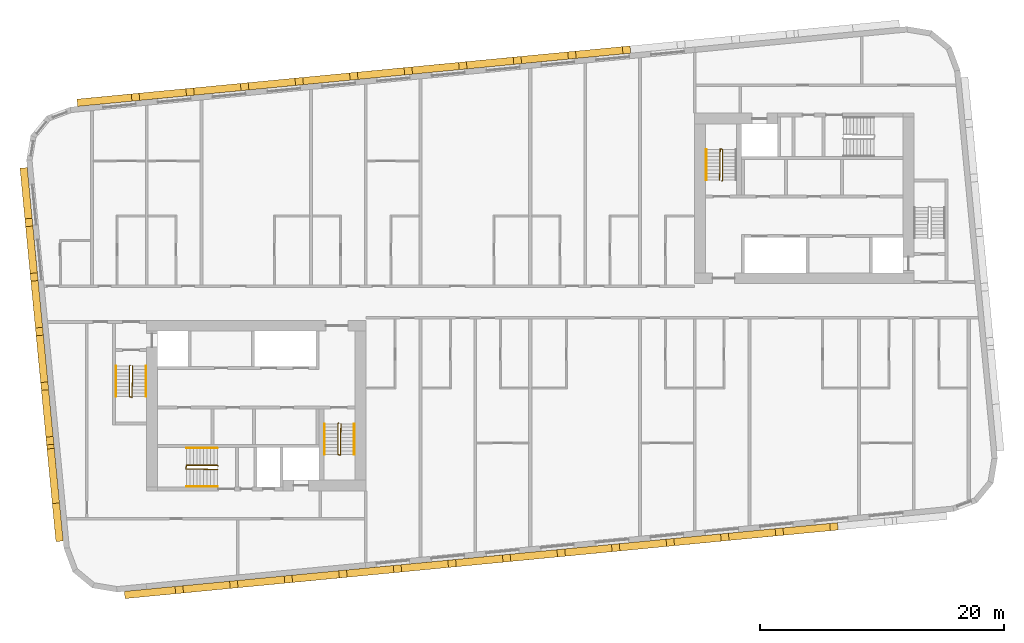
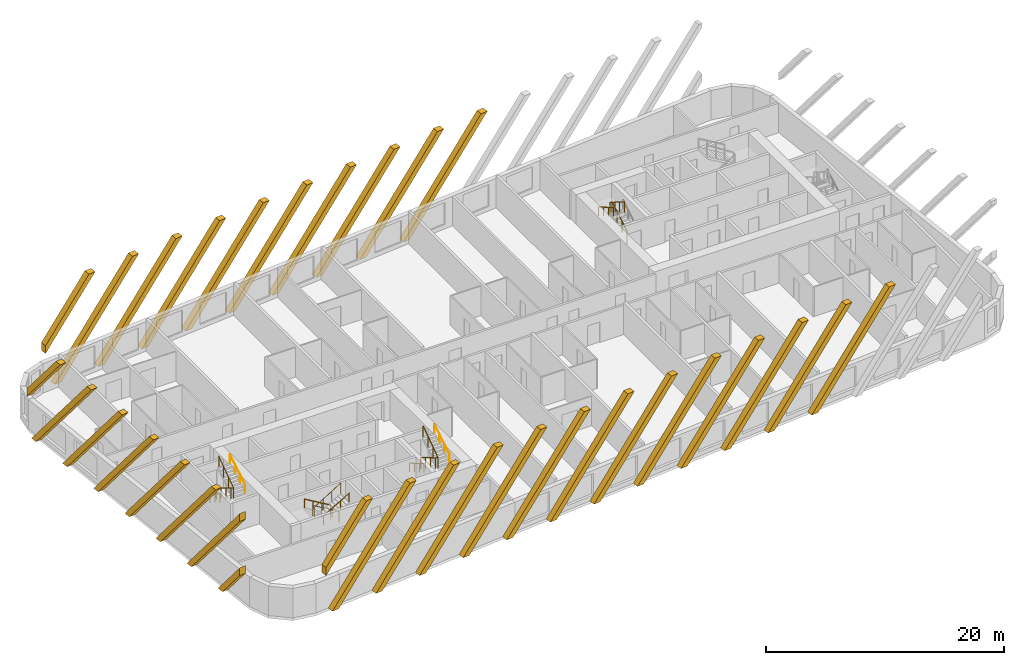
# One storey, part 12 of 13: 31 coverings, 11 railings.
"""IFC4 building model written with IfcOpenShell, lengths in metres."""

from ifc_helpers import new_model, si_unit, direction, frame, origin, origin_2d, place, context, subcontext, project, spatial, polyline, rectangle, circle, outline, extrude, material, material_profile, profile_set, type_object, element, save


model = new_model("IFC4")

# Units and contexts
model_context = context("Model", 3, precision=1e-05, world=origin(), true_north=direction((0.0, 1.0)))
body_context = subcontext(model_context, "Body", "Model", "MODEL_VIEW")
ifc_project = project(units=[si_unit("LENGTHUNIT", "METRE"), si_unit("AREAUNIT", "SQUARE_METRE"), si_unit("VOLUMEUNIT", "CUBIC_METRE"), si_unit("PLANEANGLEUNIT", "RADIAN"), si_unit("MASSUNIT", "GRAM", prefix="KILO")], contexts=[model_context])

# Site, building, storey
site_placement = place(None, origin())
site = spatial("IfcSite", under=ifc_project, at=site_placement, CompositionType="ELEMENT")
building_placement = place(site_placement, origin())
building = spatial("IfcBuilding", under=site, at=building_placement, Name="Kajstack Hotel Tower", CompositionType="ELEMENT")
storey_placement = place(building_placement, frame((0.0, 0.0, 298.199951171875)))
storey = spatial("IfcBuildingStorey", under=building, at=storey_placement, Name="L75", CompositionType="ELEMENT", Elevation=298.199951171875)

# Coverings
ifc_material_1 = material(Name="Terracotta", Category="masonry")
ifc_material_profile = material_profile(ifc_material_1, rectangle(XDim=0.60009765625, YDim=0.5, at=origin_2d()), Name="Terracotta-clad concrete baguette 500 x 600")
ifc_profile_set = profile_set([ifc_material_profile], Name="Terracotta")
covering_type = type_object("IfcCoveringType", Name="BAGUETTE 500x600", PredefinedType="CLADDING", material=ifc_profile_set)
covering_1_placement = place(storey_placement, frame((-41.298828125, 11.0390625, 0.0), z_axis=(-0.995377661201, -0.096038073607, 0.0), x_axis=(0.096038073607, -0.995377661201, 0.0)))
element("IfcCovering", 1, at=covering_1_placement, inside=storey, type_object=covering_type, Name="Baguette L75-00-003", PredefinedType="CLADDING", context=body_context, shape_type="SweptSolid", body=[
    extrude(outline(polyline([(4.17822265625, 9.89990234375), (0.0, 4.740234375), (0.0, 3.94580078125), (4.82177734375, 9.89990234375), (4.17822265625, 9.89990234375)])), origin(), (0.0, 0.0, 1.0), 0.599853515625),
])
for number, where, z_axis, x_axis, name in (
    (2, (-41.2353515625, 10.380615234375, 0.0), (-0.995416482233, -0.095634862357, 0.0), (0.095634862357, -0.995416482233, 0.0), "Baguette L75-00-007"),
    (3, (-40.80419921875, 5.9013671875, 0.0), (-0.995377661201, -0.096038073607, 0.0), (0.096038073607, -0.995377661201, 0.0), "Baguette L75-00-011"),
    (4, (-40.372802734375, 1.422119140625, 0.0), (-0.995377661201, -0.096038073607, 0.0), (0.096038073607, -0.995377661201, 0.0), "Baguette L75-00-015"),
):
    element("IfcCovering", number, at=place(storey_placement, frame(where, z_axis=z_axis, x_axis=x_axis)), inside=storey, type_object=covering_type, Name=name, PredefinedType="CLADDING", context=body_context, shape_type="SweptSolid", body=[
        extrude(outline(polyline([(8.016845703125, 9.89990234375), (0.0, 0.0), (0.643310546875, 0.0), (8.66015625, 9.89990234375), (8.016845703125, 9.89990234375)])), origin(), (0.0, 0.0, 1.0), 0.599853515625),
    ])
covering_2_placement = place(storey_placement, frame((-39.94140625, -3.05712890625, 0.0), z_axis=(-0.995381412265, -0.095999188106, 0.0), x_axis=(0.095999188106, -0.995381412265, 0.0)))
element("IfcCovering", 5, at=covering_2_placement, inside=storey, type_object=covering_type, Name="Baguette L75-00-019", PredefinedType="CLADDING", context=body_context, shape_type="SweptSolid", body=[
    extrude(outline(polyline([(8.016845703125, 9.89990234375), (0.0, 0.0), (0.643310546875, 0.0), (8.66015625, 9.89990234375), (8.016845703125, 9.89990234375)])), origin(), (0.0, 0.0, 1.0), 0.60009765625),
])
covering_3_placement = place(storey_placement, frame((-39.51025390625, -7.536376953125, 0.0), z_axis=(-0.995377661201, -0.096038073607, 0.0), x_axis=(0.096038073607, -0.995377661201, 0.0)))
element("IfcCovering", 6, at=covering_3_placement, inside=storey, type_object=covering_type, Name="Baguette L75-00-023", PredefinedType="CLADDING", context=body_context, shape_type="SweptSolid", body=[
    extrude(outline(polyline([(8.016845703125, 9.89990234375), (0.0, 0.0), (0.643310546875, 0.0), (8.66015625, 9.89990234375), (8.016845703125, 9.89990234375)])), origin(), (0.0, 0.0, 1.0), 0.599853515625),
])
covering_4_placement = place(storey_placement, frame((-39.078857421875, -12.015869140625, 0.0), z_axis=(-0.995416482233, -0.095634862357, 0.0), x_axis=(0.095634862357, -0.995416482233, 0.0)))
element("IfcCovering", 7, at=covering_4_placement, inside=storey, type_object=covering_type, Name="Baguette L75-00-027", PredefinedType="CLADDING", context=body_context, shape_type="SweptSolid", body=[
    extrude(outline(polyline([(0.643310546875, 0.0), (7.638671875, 8.638427734375), (7.638671875, 9.432861328125), (0.0, 0.0), (0.643310546875, 0.0)])), origin(), (0.0, 0.0, 1.0), 0.599853515625),
])
covering_5_placement = place(storey_placement, frame((-38.6474609375, -16.4951171875, 0.0), z_axis=(-0.995420202011, -0.095596137095, 0.0), x_axis=(0.095596137095, -0.995420202011, 0.0)))
element("IfcCovering", 8, at=covering_5_placement, inside=storey, type_object=covering_type, Name="Baguette L75-00-031", PredefinedType="CLADDING", context=body_context, shape_type="SweptSolid", body=[
    extrude(outline(polyline([(0.643310546875, 0.0), (3.138671875, 3.081298828125), (3.138671875, 3.875732421875), (0.0, 0.0), (0.643310546875, 0.0)])), origin(), (0.0, 0.0, 1.0), 0.60009765625),
])
covering_6_placement = place(storey_placement, frame((-33.3271484375, -23.757080078125, 0.0), z_axis=(0.096038073607, -0.995377661201, 0.0), x_axis=(0.995377661201, 0.096038073607, 0.0)))
element("IfcCovering", 9, at=covering_6_placement, inside=storey, type_object=covering_type, Name="Baguette L75-04-003", PredefinedType="CLADDING", context=body_context, shape_type="SweptSolid", body=[
    extrude(outline(polyline([(4.17822265625, 9.89990234375), (0.0, 4.740234375), (0.0, 3.94580078125), (4.82177734375, 9.89990234375), (4.17822265625, 9.89990234375)])), origin(), (0.0, 0.0, 1.0), 0.599853515625),
])
covering_7_placement = place(storey_placement, frame((-32.668701171875, -23.693603515625, 0.0), z_axis=(0.095999188106, -0.995381412265, 0.0), x_axis=(0.995381412265, 0.095999188106, 0.0)))
element("IfcCovering", 10, at=covering_7_placement, inside=storey, type_object=covering_type, Name="Baguette L75-04-007", PredefinedType="CLADDING", context=body_context, shape_type="SweptSolid", body=[
    extrude(outline(polyline([(8.016845703125, 9.89990234375), (0.0, 0.0), (0.643310546875, 0.0), (8.66015625, 9.89990234375), (8.016845703125, 9.89990234375)])), origin(), (0.0, 0.0, 1.0), 0.60009765625),
])
for number, where, z_axis, x_axis, name in (
    (11, (-28.189453125, -23.262451171875, 0.0), (0.096038073607, -0.995377661201, 0.0), (0.995377661201, 0.096038073607, 0.0), "Baguette L75-04-011"),
    (12, (-23.710205078125, -22.8310546875, 0.0), (0.096038073607, -0.995377661201, 0.0), (0.995377661201, 0.096038073607, 0.0), "Baguette L75-04-015"),
):
    element("IfcCovering", number, at=place(storey_placement, frame(where, z_axis=z_axis, x_axis=x_axis)), inside=storey, type_object=covering_type, Name=name, PredefinedType="CLADDING", context=body_context, shape_type="SweptSolid", body=[
        extrude(outline(polyline([(8.016845703125, 9.89990234375), (0.0, 0.0), (0.643310546875, 0.0), (8.66015625, 9.89990234375), (8.016845703125, 9.89990234375)])), origin(), (0.0, 0.0, 1.0), 0.599853515625),
    ])
covering_8_placement = place(storey_placement, frame((-19.230712890625, -22.399658203125, 0.0), z_axis=(0.095596137095, -0.995420202011, 0.0), x_axis=(0.995420202011, 0.095596137095, 0.0)))
element("IfcCovering", 13, at=covering_8_placement, inside=storey, type_object=covering_type, Name="Baguette L75-04-019", PredefinedType="CLADDING", context=body_context, shape_type="SweptSolid", body=[
    extrude(outline(polyline([(8.016845703125, 9.89990234375), (0.0, 0.0), (0.643310546875, 0.0), (8.66015625, 9.89990234375), (8.016845703125, 9.89990234375)])), origin(), (0.0, 0.0, 1.0), 0.60009765625),
])
for number, where, z_axis, x_axis, name in (
    (14, (-14.75146484375, -21.968505859375, 0.0), (0.095634862357, -0.995416482233, 0.0), (0.995416482233, 0.095634862357, 0.0), "Baguette L75-04-023"),
    (15, (-10.272216796875, -21.537109375, 0.0), (0.095634862357, -0.995416482233, 0.0), (0.995416482233, 0.095634862357, 0.0), "Baguette L75-04-027"),
    (16, (-5.79296875, -21.10595703125, 0.0), (0.096038073607, -0.995377661201, 0.0), (0.995377661201, 0.096038073607, 0.0), "Baguette L75-04-031"),
    (17, (-1.313720703125, -20.674560546875, 0.0), (0.096038073607, -0.995377661201, 0.0), (0.995377661201, 0.096038073607, 0.0), "Baguette L75-04-035"),
):
    element("IfcCovering", number, at=place(storey_placement, frame(where, z_axis=z_axis, x_axis=x_axis)), inside=storey, type_object=covering_type, Name=name, PredefinedType="CLADDING", context=body_context, shape_type="SweptSolid", body=[
        extrude(outline(polyline([(8.016845703125, 9.89990234375), (0.0, 0.0), (0.643310546875, 0.0), (8.66015625, 9.89990234375), (8.016845703125, 9.89990234375)])), origin(), (0.0, 0.0, 1.0), 0.599853515625),
    ])
covering_9_placement = place(storey_placement, frame((3.16552734375, -20.2431640625, 0.0), z_axis=(0.095999188106, -0.995381412265, 0.0), x_axis=(0.995381412265, 0.095999188106, 0.0)))
element("IfcCovering", 18, at=covering_9_placement, inside=storey, type_object=covering_type, Name="Baguette L75-04-039", PredefinedType="CLADDING", context=body_context, shape_type="SweptSolid", body=[
    extrude(outline(polyline([(8.016845703125, 9.89990234375), (0.0, 0.0), (0.643310546875, 0.0), (8.66015625, 9.89990234375), (8.016845703125, 9.89990234375)])), origin(), (0.0, 0.0, 1.0), 0.60009765625),
])
for number, where, z_axis, x_axis, name in (
    (19, (7.644775390625, -19.81201171875, 0.0), (0.096038073607, -0.995377661201, 0.0), (0.995377661201, 0.096038073607, 0.0), "Baguette L75-04-043"),
    (20, (12.1240234375, -19.380615234375, 0.0), (0.096038073607, -0.995377661201, 0.0), (0.995377661201, 0.096038073607, 0.0), "Baguette L75-04-047"),
):
    element("IfcCovering", number, at=place(storey_placement, frame(where, z_axis=z_axis, x_axis=x_axis)), inside=storey, type_object=covering_type, Name=name, PredefinedType="CLADDING", context=body_context, shape_type="SweptSolid", body=[
        extrude(outline(polyline([(8.016845703125, 9.89990234375), (0.0, 0.0), (0.643310546875, 0.0), (8.66015625, 9.89990234375), (8.016845703125, 9.89990234375)])), origin(), (0.0, 0.0, 1.0), 0.599853515625),
    ])
covering_10_placement = place(storey_placement, frame((16.603515625, -18.94921875, 0.0), z_axis=(0.095596137095, -0.995420202011, 0.0), x_axis=(0.995420202011, 0.095596137095, 0.0)))
element("IfcCovering", 21, at=covering_10_placement, inside=storey, type_object=covering_type, Name="Baguette L75-04-051", PredefinedType="CLADDING", context=body_context, shape_type="SweptSolid", body=[
    extrude(outline(polyline([(8.016845703125, 9.89990234375), (0.0, 0.0), (0.643310546875, 0.0), (8.66015625, 9.89990234375), (8.016845703125, 9.89990234375)])), origin(), (0.0, 0.0, 1.0), 0.60009765625),
])
covering_11_placement = place(storey_placement, frame((8.2509765625, 20.431396484375, 0.0), z_axis=(-0.096038073607, 0.995377661201, 0.0), x_axis=(-0.995377661201, -0.096038073607, 0.0)))
element("IfcCovering", 22, at=covering_11_placement, inside=storey, type_object=covering_type, Name="Baguette L75-12-027", PredefinedType="CLADDING", context=body_context, shape_type="SweptSolid", body=[
    extrude(outline(polyline([(0.0, 9.89990234375), (8.016845703125, 0.0), (8.66015625, 0.0), (0.643310546875, 9.89990234375), (0.0, 9.89990234375)])), origin(), (0.0, 0.0, 1.0), 0.599853515625),
])
covering_12_placement = place(storey_placement, frame((3.771484375, 20.0, 0.0), z_axis=(-0.095596137095, 0.995420202011, 0.0), x_axis=(-0.995420202011, -0.095596137095, 0.0)))
element("IfcCovering", 23, at=covering_12_placement, inside=storey, type_object=covering_type, Name="Baguette L75-12-031", PredefinedType="CLADDING", context=body_context, shape_type="SweptSolid", body=[
    extrude(outline(polyline([(0.0, 9.89990234375), (8.016845703125, 0.0), (8.66015625, 0.0), (0.643310546875, 9.89990234375), (0.0, 9.89990234375)])), origin(), (0.0, 0.0, 1.0), 0.60009765625),
])
for number, where, z_axis, x_axis, name in (
    (24, (-0.707763671875, 19.56884765625, 0.0), (-0.095634862357, 0.995416482233, 0.0), (-0.995416482233, -0.095634862357, 0.0), "Baguette L75-12-035"),
    (25, (-5.18701171875, 19.137451171875, 0.0), (-0.095634862357, 0.995416482233, 0.0), (-0.995416482233, -0.095634862357, 0.0), "Baguette L75-12-039"),
):
    element("IfcCovering", number, at=place(storey_placement, frame(where, z_axis=z_axis, x_axis=x_axis)), inside=storey, type_object=covering_type, Name=name, PredefinedType="CLADDING", context=body_context, shape_type="SweptSolid", body=[
        extrude(outline(polyline([(0.0, 9.89990234375), (8.016845703125, 0.0), (8.66015625, 0.0), (0.643310546875, 9.89990234375), (0.0, 9.89990234375)])), origin(), (0.0, 0.0, 1.0), 0.599853515625),
    ])
covering_13_placement = place(storey_placement, frame((-9.666259765625, 18.7060546875, 0.0), z_axis=(-0.095999188106, 0.995381412265, 0.0), x_axis=(-0.995381412265, -0.095999188106, 0.0)))
element("IfcCovering", 26, at=covering_13_placement, inside=storey, type_object=covering_type, Name="Baguette L75-12-043", PredefinedType="CLADDING", context=body_context, shape_type="SweptSolid", body=[
    extrude(outline(polyline([(0.0, 9.89990234375), (8.016845703125, 0.0), (8.66015625, 0.0), (0.643310546875, 9.89990234375), (0.0, 9.89990234375)])), origin(), (0.0, 0.0, 1.0), 0.60009765625),
])
for number, where, z_axis, x_axis, name in (
    (27, (-14.1455078125, 18.27490234375, 0.0), (-0.096038073607, 0.995377661201, 0.0), (-0.995377661201, -0.096038073607, 0.0), "Baguette L75-12-047"),
    (28, (-18.624755859375, 17.843505859375, 0.0), (-0.096038073607, 0.995377661201, 0.0), (-0.995377661201, -0.096038073607, 0.0), "Baguette L75-12-051"),
):
    element("IfcCovering", number, at=place(storey_placement, frame(where, z_axis=z_axis, x_axis=x_axis)), inside=storey, type_object=covering_type, Name=name, PredefinedType="CLADDING", context=body_context, shape_type="SweptSolid", body=[
        extrude(outline(polyline([(0.0, 9.89990234375), (8.016845703125, 0.0), (8.66015625, 0.0), (0.643310546875, 9.89990234375), (0.0, 9.89990234375)])), origin(), (0.0, 0.0, 1.0), 0.599853515625),
    ])
covering_14_placement = place(storey_placement, frame((-23.10400390625, 17.412109375, 0.0), z_axis=(-0.095999188106, 0.995381412265, 0.0), x_axis=(-0.995381412265, -0.095999188106, 0.0)))
element("IfcCovering", 29, at=covering_14_placement, inside=storey, type_object=covering_type, Name="Baguette L75-12-055", PredefinedType="CLADDING", context=body_context, shape_type="SweptSolid", body=[
    extrude(outline(polyline([(0.0, 9.89990234375), (8.016845703125, 0.0), (8.66015625, 0.0), (0.643310546875, 9.89990234375), (0.0, 9.89990234375)])), origin(), (0.0, 0.0, 1.0), 0.60009765625),
])
covering_15_placement = place(storey_placement, frame((-27.58349609375, 16.98095703125, 0.0), z_axis=(-0.095634862357, 0.995416482233, 0.0), x_axis=(-0.995416482233, -0.095634862357, 0.0)))
element("IfcCovering", 30, at=covering_15_placement, inside=storey, type_object=covering_type, Name="Baguette L75-12-059", PredefinedType="CLADDING", context=body_context, shape_type="SweptSolid", body=[
    extrude(outline(polyline([(0.0, 9.89990234375), (8.016845703125, 0.0), (8.66015625, 0.0), (0.643310546875, 9.89990234375), (0.0, 9.89990234375)])), origin(), (0.0, 0.0, 1.0), 0.599853515625),
])
covering_16_placement = place(storey_placement, frame((-32.062744140625, 16.549560546875, 0.0), z_axis=(-0.095634862357, 0.995416482233, 0.0), x_axis=(-0.995416482233, -0.095634862357, 0.0)))
element("IfcCovering", 31, at=covering_16_placement, inside=storey, type_object=covering_type, Name="Baguette L75-12-063", PredefinedType="CLADDING", context=body_context, shape_type="SweptSolid", body=[
    extrude(outline(polyline([(0.0, 9.89990234375), (5.121826171875, 3.5751953125), (5.121826171875, 4.36962890625), (0.643310546875, 9.89990234375), (0.0, 9.89990234375)])), origin(), (0.0, 0.0, 1.0), 0.599853515625),
])

# Railings
ifc_material_2 = material(Name="Steel S355J2", Category="steel")
railing_type_1 = type_object("IfcRailingType", Name="Stair guard 1100", PredefinedType="GUARDRAIL", material=ifc_material_2)
railing_1_placement = place(storey_placement, frame((-32.85009765625, -5.199951171875, 0.0)))
element("IfcRailing", 32, at=railing_1_placement, inside=storey, type_object=railing_type_1, Name="L75 W1 stair guard 1", PredefinedType="GUARDRAIL", context=body_context, shape_type="SweptSolid", body=[
    extrude(circle(Radius=0.02392578125, at=origin_2d()), frame((0.0, 0.0, 1.076171875), z_axis=(-0.277450376394, -0.278810427259, 0.919394384522), x_axis=(0.708833529934, -0.705375805398, 0.0)), (0.0, 0.0, 1.0), 0.179443359375),
    extrude(circle(Radius=0.02392578125, at=origin_2d()), frame((-0.0498046875, -0.050048828125, 1.2412109375), z_axis=(0.0, -0.86152411907, 0.507716645641), x_axis=(1.0, 0.0, 0.0)), (0.0, 0.0, 1.0), 2.925048828125),
    extrude(circle(Radius=0.02392578125, at=origin_2d()), frame((-0.0498046875, -2.570068359375, 2.72607421875), z_axis=(0.970072785993, -0.242814311512, 0.0), x_axis=(0.242814311512, 0.970072785993, 0.0)), (0.0, 0.0, 1.0), 0.2060546875),
    extrude(circle(Radius=0.02392578125, at=origin_2d()), frame((0.150146484375, -2.6201171875, 2.72607421875), z_axis=(0.016385308676, 0.841405582595, 0.540155687962), x_axis=(-0.999810440751, 0.019470042781, 0.0)), (0.0, 0.0, 1.0), 3.054443359375),
    extrude(circle(Radius=0.02099609375, at=origin_2d()), origin(), (0.0, 0.0, 1.0), 1.052001953125),
    extrude(circle(Radius=0.02099609375, at=origin_2d()), frame((-0.0498046875, -0.050048828125, 0.1650390625)), (0.0, 0.0, 1.0), 1.052001953125),
    extrude(circle(Radius=0.02099609375, at=origin_2d()), frame((-0.0498046875, -0.89013671875, 0.66015625)), (0.0, 0.0, 1.0), 1.052001953125),
    extrude(circle(Radius=0.02099609375, at=origin_2d()), frame((-0.0498046875, -1.72998046875, 1.155029296875)), (0.0, 0.0, 1.0), 1.052001953125),
    extrude(circle(Radius=0.02099609375, at=origin_2d()), frame((-0.0498046875, -2.570068359375, 1.650146484375)), (0.0, 0.0, 1.0), 1.052001953125),
    extrude(circle(Radius=0.02099609375, at=origin_2d()), frame((0.150146484375, -2.6201171875, 1.650146484375)), (0.0, 0.0, 1.0), 1.052001953125),
    extrude(circle(Radius=0.02099609375, at=origin_2d()), frame((0.166748046875, -1.763427734375, 2.2001953125)), (0.0, 0.0, 1.0), 1.052001953125),
    extrude(circle(Radius=0.02099609375, at=origin_2d()), frame((0.18359375, -0.90673828125, 2.75)), (0.0, 0.0, 1.0), 1.052001953125),
    extrude(circle(Radius=0.02099609375, at=origin_2d()), frame((0.2001953125, -0.050048828125, 3.300048828125)), (0.0, 0.0, 1.0), 1.052001953125),
])
railing_2_placement = place(storey_placement, frame((-15.75, -9.949951171875, 0.0)))
element("IfcRailing", 33, at=railing_2_placement, inside=storey, type_object=railing_type_1, Name="L75 W2 stair guard 1", PredefinedType="GUARDRAIL", context=body_context, shape_type="SweptSolid", body=[
    extrude(circle(Radius=0.02392578125, at=origin_2d()), frame((0.0, 0.0, 1.076171875), z_axis=(-0.278705021027, -0.278705021027, 0.919046801044), x_axis=(0.707106781187, -0.707106781187, 0.0)), (0.0, 0.0, 1.0), 0.1796875),
    extrude(circle(Radius=0.02392578125, at=origin_2d()), frame((-0.050048828125, -0.050048828125, 1.2412109375), z_axis=(0.0, -0.86152411907, 0.507716645641), x_axis=(1.0, 0.0, 0.0)), (0.0, 0.0, 1.0), 2.925048828125),
    extrude(circle(Radius=0.02392578125, at=origin_2d()), frame((-0.050048828125, -2.570068359375, 2.72607421875), z_axis=(0.970072785993, -0.242814311512, 0.0), x_axis=(0.242814311512, 0.970072785993, 0.0)), (0.0, 0.0, 1.0), 0.2060546875),
    extrude(circle(Radius=0.02392578125, at=origin_2d()), frame((0.14990234375, -2.6201171875, 2.72607421875), z_axis=(0.016385308676, 0.841405582595, 0.540155687962), x_axis=(-0.999810440751, 0.019470042781, 0.0)), (0.0, 0.0, 1.0), 3.054443359375),
    extrude(circle(Radius=0.02099609375, at=origin_2d()), origin(), (0.0, 0.0, 1.0), 1.052001953125),
    extrude(circle(Radius=0.02099609375, at=origin_2d()), frame((-0.050048828125, -0.050048828125, 0.1650390625)), (0.0, 0.0, 1.0), 1.052001953125),
    extrude(circle(Radius=0.02099609375, at=origin_2d()), frame((-0.050048828125, -0.89013671875, 0.66015625)), (0.0, 0.0, 1.0), 1.052001953125),
    extrude(circle(Radius=0.02099609375, at=origin_2d()), frame((-0.050048828125, -1.72998046875, 1.155029296875)), (0.0, 0.0, 1.0), 1.052001953125),
    extrude(circle(Radius=0.02099609375, at=origin_2d()), frame((-0.050048828125, -2.570068359375, 1.650146484375)), (0.0, 0.0, 1.0), 1.052001953125),
    extrude(circle(Radius=0.02099609375, at=origin_2d()), frame((0.14990234375, -2.6201171875, 1.650146484375)), (0.0, 0.0, 1.0), 1.052001953125),
    extrude(circle(Radius=0.02099609375, at=origin_2d()), frame((0.16650390625, -1.763427734375, 2.2001953125)), (0.0, 0.0, 1.0), 1.052001953125),
    extrude(circle(Radius=0.02099609375, at=origin_2d()), frame((0.183349609375, -0.90673828125, 2.75)), (0.0, 0.0, 1.0), 1.052001953125),
    extrude(circle(Radius=0.02099609375, at=origin_2d()), frame((0.199951171875, -0.050048828125, 3.300048828125)), (0.0, 0.0, 1.0), 1.052001953125),
])
railing_3_placement = place(storey_placement, frame((-25.64990234375, -13.449951171875, 0.0)))
element("IfcRailing", 34, at=railing_3_placement, inside=storey, type_object=railing_type_1, Name="L75 W3 stair guard 1", PredefinedType="GUARDRAIL", context=body_context, shape_type="SweptSolid", body=[
    extrude(circle(Radius=0.02392578125, at=origin_2d()), frame((0.0, 0.0, 1.076171875), z_axis=(-0.278705021027, 0.278705021027, 0.919046801044), x_axis=(-0.707106781187, -0.707106781187, 0.0)), (0.0, 0.0, 1.0), 0.1796875),
    extrude(circle(Radius=0.02392578125, at=origin_2d()), frame((-0.050048828125, 0.050048828125, 1.2412109375), z_axis=(-0.86152411907, 0.0, 0.507716645641), x_axis=(0.0, -1.0, 0.0)), (0.0, 0.0, 1.0), 2.925048828125),
    extrude(circle(Radius=0.02392578125, at=origin_2d()), frame((-2.570068359375, 0.050048828125, 2.72607421875), z_axis=(-0.164529134168, -0.986372223864, 0.0), x_axis=(0.986372223864, -0.164529134168, 0.0)), (0.0, 0.0, 1.0), 0.30419921875),
    extrude(circle(Radius=0.02392578125, at=origin_2d()), frame((-2.6201171875, -0.25, 2.72607421875), z_axis=(0.841405582595, -0.016385308676, 0.540155687962), x_axis=(0.019470042781, 0.999810440751, 0.0)), (0.0, 0.0, 1.0), 3.054443359375),
    extrude(circle(Radius=0.02099609375, at=origin_2d()), origin(), (0.0, 0.0, 1.0), 1.052001953125),
    extrude(circle(Radius=0.02099609375, at=origin_2d()), frame((-0.050048828125, 0.050048828125, 0.1650390625)), (0.0, 0.0, 1.0), 1.052001953125),
    extrude(circle(Radius=0.02099609375, at=origin_2d()), frame((-0.89013671875, 0.050048828125, 0.66015625)), (0.0, 0.0, 1.0), 1.052001953125),
    extrude(circle(Radius=0.02099609375, at=origin_2d()), frame((-1.72998046875, 0.050048828125, 1.155029296875)), (0.0, 0.0, 1.0), 1.052001953125),
    extrude(circle(Radius=0.02099609375, at=origin_2d()), frame((-2.570068359375, 0.050048828125, 1.650146484375)), (0.0, 0.0, 1.0), 1.052001953125),
    extrude(circle(Radius=0.02099609375, at=origin_2d()), frame((-2.6201171875, -0.25, 1.650146484375)), (0.0, 0.0, 1.0), 1.052001953125),
    extrude(circle(Radius=0.02099609375, at=origin_2d()), frame((-1.763427734375, -0.2666015625, 2.2001953125)), (0.0, 0.0, 1.0), 1.052001953125),
    extrude(circle(Radius=0.02099609375, at=origin_2d()), frame((-0.90673828125, -0.283447265625, 2.75)), (0.0, 0.0, 1.0), 1.052001953125),
    extrude(circle(Radius=0.02099609375, at=origin_2d()), frame((-0.050048828125, -0.300048828125, 3.300048828125)), (0.0, 0.0, 1.0), 1.052001953125),
])
railing_4_placement = place(storey_placement, frame((15.75, 9.949951171875, 0.0)))
element("IfcRailing", 35, at=railing_4_placement, inside=storey, type_object=railing_type_1, Name="L75 E2 stair guard 1", PredefinedType="GUARDRAIL", context=body_context, shape_type="SweptSolid", body=[
    extrude(circle(Radius=0.02392578125, at=origin_2d()), frame((0.0, 0.0, 1.076171875), z_axis=(0.278705021027, 0.278705021027, 0.919046801044), x_axis=(-0.707106781187, 0.707106781187, 0.0)), (0.0, 0.0, 1.0), 0.1796875),
    extrude(circle(Radius=0.02392578125, at=origin_2d()), frame((0.050048828125, 0.050048828125, 1.2412109375), z_axis=(0.0, 0.86152411907, 0.507716645641), x_axis=(-1.0, 0.0, 0.0)), (0.0, 0.0, 1.0), 2.925048828125),
    extrude(circle(Radius=0.02392578125, at=origin_2d()), frame((0.050048828125, 2.570068359375, 2.72607421875), z_axis=(-0.970072785993, 0.242814311512, 0.0), x_axis=(-0.242814311512, -0.970072785993, 0.0)), (0.0, 0.0, 1.0), 0.2060546875),
    extrude(circle(Radius=0.02392578125, at=origin_2d()), frame((-0.14990234375, 2.6201171875, 2.72607421875), z_axis=(-0.016385308676, -0.841405582595, 0.540155687962), x_axis=(0.999810440751, -0.019470042781, 0.0)), (0.0, 0.0, 1.0), 3.054443359375),
    extrude(circle(Radius=0.02099609375, at=origin_2d()), origin(), (0.0, 0.0, 1.0), 1.052001953125),
    extrude(circle(Radius=0.02099609375, at=origin_2d()), frame((0.050048828125, 0.050048828125, 0.1650390625)), (0.0, 0.0, 1.0), 1.052001953125),
    extrude(circle(Radius=0.02099609375, at=origin_2d()), frame((0.050048828125, 0.89013671875, 0.66015625)), (0.0, 0.0, 1.0), 1.052001953125),
    extrude(circle(Radius=0.02099609375, at=origin_2d()), frame((0.050048828125, 1.72998046875, 1.155029296875)), (0.0, 0.0, 1.0), 1.052001953125),
    extrude(circle(Radius=0.02099609375, at=origin_2d()), frame((0.050048828125, 2.570068359375, 1.650146484375)), (0.0, 0.0, 1.0), 1.052001953125),
    extrude(circle(Radius=0.02099609375, at=origin_2d()), frame((-0.14990234375, 2.6201171875, 1.650146484375)), (0.0, 0.0, 1.0), 1.052001953125),
    extrude(circle(Radius=0.02099609375, at=origin_2d()), frame((-0.16650390625, 1.763427734375, 2.2001953125)), (0.0, 0.0, 1.0), 1.052001953125),
    extrude(circle(Radius=0.02099609375, at=origin_2d()), frame((-0.183349609375, 0.90673828125, 2.75)), (0.0, 0.0, 1.0), 1.052001953125),
    extrude(circle(Radius=0.02099609375, at=origin_2d()), frame((-0.199951171875, 0.050048828125, 3.300048828125)), (0.0, 0.0, 1.0), 1.052001953125),
])
railing_type_2 = type_object("IfcRailingType", Name="Stair handrail 900", PredefinedType="HANDRAIL", material=ifc_material_2)
railing_5_placement = place(storey_placement, frame((-34.0, -5.25, 0.1650390625)))
element("IfcRailing", 36, at=railing_5_placement, inside=storey, type_object=railing_type_2, Name="L75 W1 stair handrail 1", PredefinedType="HANDRAIL", context=body_context, shape_type="SweptSolid", body=[
    extrude(circle(Radius=0.02392578125, at=origin_2d()), frame((0.0, 0.0, 0.8759765625), z_axis=(0.0, -0.86152411907, 0.507716645641), x_axis=(1.0, 0.0, 0.0)), (0.0, 0.0, 1.0), 2.925048828125),
    extrude(circle(Radius=0.02099609375, at=origin_2d()), origin(), (0.0, 0.0, 1.0), 0.851806640625),
    extrude(circle(Radius=0.02099609375, at=origin_2d()), frame((0.0, -0.840087890625, 0.4951171875)), (0.0, 0.0, 1.0), 0.851806640625),
    extrude(circle(Radius=0.02099609375, at=origin_2d()), frame((0.0, -1.679931640625, 0.989990234375)), (0.0, 0.0, 1.0), 0.851806640625),
    extrude(circle(Radius=0.02099609375, at=origin_2d()), frame((0.0, -2.52001953125, 1.485107421875)), (0.0, 0.0, 1.0), 0.851806640625),
])
railing_6_placement = place(storey_placement, frame((-31.550048828125, -7.77001953125, 1.81494140625)))
element("IfcRailing", 37, at=railing_6_placement, inside=storey, type_object=railing_type_2, Name="L75 W1 stair handrail 2", PredefinedType="HANDRAIL", context=body_context, shape_type="SweptSolid", body=[
    extrude(circle(Radius=0.02392578125, at=origin_2d()), frame((0.0, 0.0, 0.8759765625), z_axis=(0.0, 0.86152411907, 0.507716645641), x_axis=(-1.0, 0.0, 0.0)), (0.0, 0.0, 1.0), 2.925048828125),
    extrude(circle(Radius=0.02099609375, at=origin_2d()), origin(), (0.0, 0.0, 1.0), 0.851806640625),
    extrude(circle(Radius=0.02099609375, at=origin_2d()), frame((0.0, 0.840087890625, 0.4951171875)), (0.0, 0.0, 1.0), 0.851806640625),
    extrude(circle(Radius=0.02099609375, at=origin_2d()), frame((0.0, 1.679931640625, 0.989990234375)), (0.0, 0.0, 1.0), 0.851806640625),
    extrude(circle(Radius=0.02099609375, at=origin_2d()), frame((0.0, 2.52001953125, 1.485107421875)), (0.0, 0.0, 1.0), 0.851806640625),
])
railing_7_placement = place(storey_placement, frame((-16.89990234375, -10.0, 0.1650390625)))
element("IfcRailing", 38, at=railing_7_placement, inside=storey, type_object=railing_type_2, Name="L75 W2 stair handrail 1", PredefinedType="HANDRAIL", context=body_context, shape_type="SweptSolid", body=[
    extrude(circle(Radius=0.02392578125, at=origin_2d()), frame((0.0, 0.0, 0.8759765625), z_axis=(0.0, -0.86152411907, 0.507716645641), x_axis=(1.0, 0.0, 0.0)), (0.0, 0.0, 1.0), 2.925048828125),
    extrude(circle(Radius=0.02099609375, at=origin_2d()), origin(), (0.0, 0.0, 1.0), 0.851806640625),
    extrude(circle(Radius=0.02099609375, at=origin_2d()), frame((0.0, -0.840087890625, 0.4951171875)), (0.0, 0.0, 1.0), 0.851806640625),
    extrude(circle(Radius=0.02099609375, at=origin_2d()), frame((0.0, -1.679931640625, 0.989990234375)), (0.0, 0.0, 1.0), 0.851806640625),
    extrude(circle(Radius=0.02099609375, at=origin_2d()), frame((0.0, -2.52001953125, 1.485107421875)), (0.0, 0.0, 1.0), 0.851806640625),
])
railing_8_placement = place(storey_placement, frame((-14.449951171875, -12.52001953125, 1.81494140625)))
element("IfcRailing", 39, at=railing_8_placement, inside=storey, type_object=railing_type_2, Name="L75 W2 stair handrail 2", PredefinedType="HANDRAIL", context=body_context, shape_type="SweptSolid", body=[
    extrude(circle(Radius=0.02392578125, at=origin_2d()), frame((0.0, 0.0, 0.8759765625), z_axis=(0.0, 0.86152411907, 0.507716645641), x_axis=(-1.0, 0.0, 0.0)), (0.0, 0.0, 1.0), 2.925048828125),
    extrude(circle(Radius=0.02099609375, at=origin_2d()), origin(), (0.0, 0.0, 1.0), 0.851806640625),
    extrude(circle(Radius=0.02099609375, at=origin_2d()), frame((0.0, 0.840087890625, 0.4951171875)), (0.0, 0.0, 1.0), 0.851806640625),
    extrude(circle(Radius=0.02099609375, at=origin_2d()), frame((0.0, 1.679931640625, 0.989990234375)), (0.0, 0.0, 1.0), 0.851806640625),
    extrude(circle(Radius=0.02099609375, at=origin_2d()), frame((0.0, 2.52001953125, 1.485107421875)), (0.0, 0.0, 1.0), 0.851806640625),
])
railing_9_placement = place(storey_placement, frame((-25.699951171875, -12.0, 0.1650390625)))
element("IfcRailing", 40, at=railing_9_placement, inside=storey, type_object=railing_type_2, Name="L75 W3 stair handrail 1", PredefinedType="HANDRAIL", context=body_context, shape_type="SweptSolid", body=[
    extrude(circle(Radius=0.02392578125, at=origin_2d()), frame((0.0, 0.0, 0.8759765625), z_axis=(-0.86152411907, 0.0, 0.507716645641), x_axis=(0.0, -1.0, 0.0)), (0.0, 0.0, 1.0), 2.925048828125),
    extrude(circle(Radius=0.02099609375, at=origin_2d()), origin(), (0.0, 0.0, 1.0), 0.851806640625),
    extrude(circle(Radius=0.02099609375, at=origin_2d()), frame((-0.840087890625, 0.0, 0.4951171875)), (0.0, 0.0, 1.0), 0.851806640625),
    extrude(circle(Radius=0.02099609375, at=origin_2d()), frame((-1.679931640625, 0.0, 0.989990234375)), (0.0, 0.0, 1.0), 0.851806640625),
    extrude(circle(Radius=0.02099609375, at=origin_2d()), frame((-2.52001953125, 0.0, 1.485107421875)), (0.0, 0.0, 1.0), 0.851806640625),
])
railing_10_placement = place(storey_placement, frame((-28.219970703125, -15.14990234375, 1.81494140625)))
element("IfcRailing", 41, at=railing_10_placement, inside=storey, type_object=railing_type_2, Name="L75 W3 stair handrail 2", PredefinedType="HANDRAIL", context=body_context, shape_type="SweptSolid", body=[
    extrude(circle(Radius=0.02392578125, at=origin_2d()), frame((0.0, 0.0, 0.8759765625), z_axis=(0.86152411907, 0.0, 0.507716645641), x_axis=(0.0, 1.0, 0.0)), (0.0, 0.0, 1.0), 2.925048828125),
    extrude(circle(Radius=0.02099609375, at=origin_2d()), origin(), (0.0, 0.0, 1.0), 0.851806640625),
    extrude(circle(Radius=0.02099609375, at=origin_2d()), frame((0.840087890625, 0.0, 0.4951171875)), (0.0, 0.0, 1.0), 0.851806640625),
    extrude(circle(Radius=0.02099609375, at=origin_2d()), frame((1.679931640625, 0.0, 0.989990234375)), (0.0, 0.0, 1.0), 0.851806640625),
    extrude(circle(Radius=0.02099609375, at=origin_2d()), frame((2.52001953125, 0.0, 1.485107421875)), (0.0, 0.0, 1.0), 0.851806640625),
])
railing_11_placement = place(storey_placement, frame((14.449951171875, 12.52001953125, 1.81494140625)))
element("IfcRailing", 42, at=railing_11_placement, inside=storey, type_object=railing_type_2, Name="L75 E2 stair handrail 2", PredefinedType="HANDRAIL", context=body_context, shape_type="SweptSolid", body=[
    extrude(circle(Radius=0.02392578125, at=origin_2d()), frame((0.0, 0.0, 0.8759765625), z_axis=(0.0, -0.86152411907, 0.507716645641), x_axis=(1.0, 0.0, 0.0)), (0.0, 0.0, 1.0), 2.925048828125),
    extrude(circle(Radius=0.02099609375, at=origin_2d()), origin(), (0.0, 0.0, 1.0), 0.851806640625),
    extrude(circle(Radius=0.02099609375, at=origin_2d()), frame((0.0, -0.840087890625, 0.4951171875)), (0.0, 0.0, 1.0), 0.851806640625),
    extrude(circle(Radius=0.02099609375, at=origin_2d()), frame((0.0, -1.679931640625, 0.989990234375)), (0.0, 0.0, 1.0), 0.851806640625),
    extrude(circle(Radius=0.02099609375, at=origin_2d()), frame((0.0, -2.52001953125, 1.485107421875)), (0.0, 0.0, 1.0), 0.851806640625),
])

save(model, "model.ifc")
